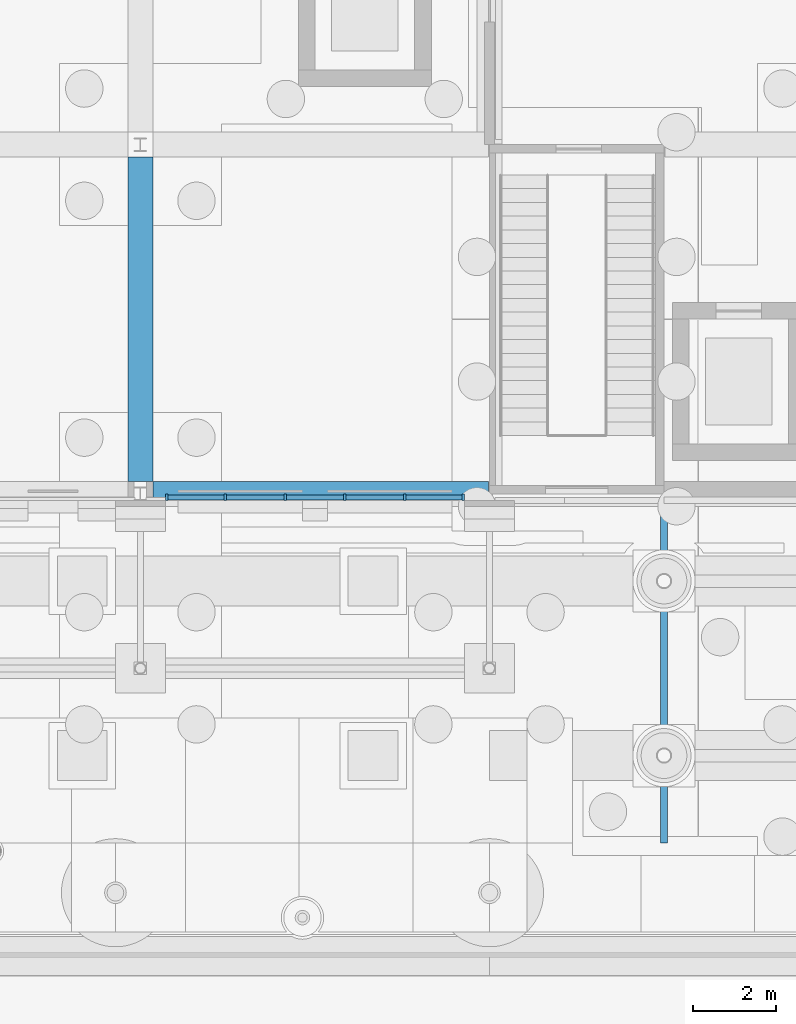
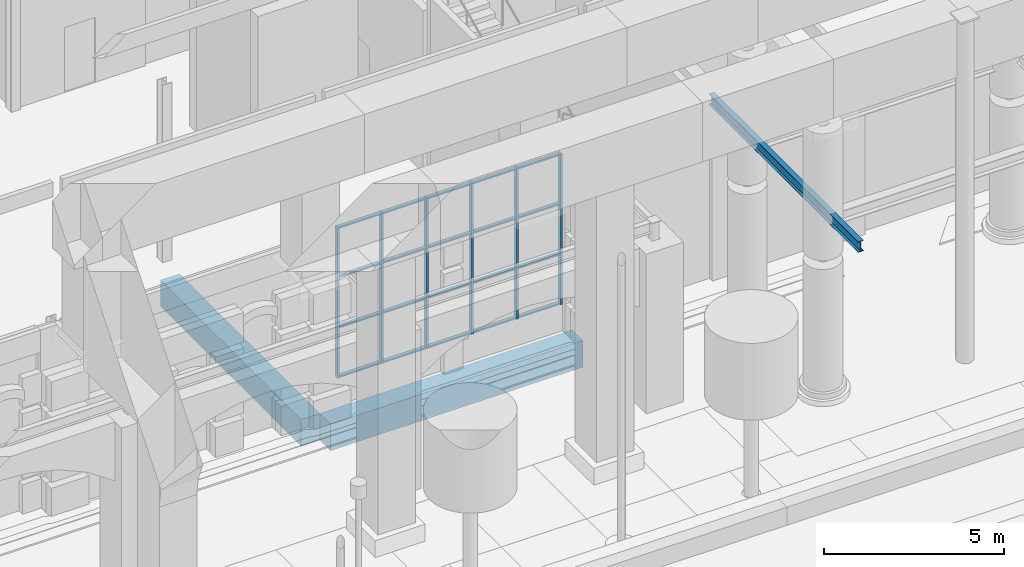
# One storey, part 40 of 222: 26 members, 3 beams, 1 element without a shape of its own.
"""IFC4 building model written with IfcOpenShell, lengths in metres."""

from ifc_helpers import new_model, si_unit, direction, frame, origin, origin_2d, place, context, subcontext, project, spatial, rectangle, i_section, extrude, material, material_profile, profile_set, type_object, element, aggregate, save


model = new_model("IFC4")

# Units and contexts
model_context = context("Model", 3, precision=1e-05, world=origin(), true_north=direction((0.0, 1.0)))
body_context = subcontext(model_context, "Body", "Model", "MODEL_VIEW")
ifc_project = project(units=[si_unit("LENGTHUNIT", "METRE"), si_unit("AREAUNIT", "SQUARE_METRE"), si_unit("VOLUMEUNIT", "CUBIC_METRE"), si_unit("PLANEANGLEUNIT", "RADIAN"), si_unit("MASSUNIT", "GRAM", prefix="KILO")], contexts=[model_context])

# Site, building, storey
site_placement = place(None, origin())
site = spatial("IfcSite", under=ifc_project, at=site_placement, CompositionType="ELEMENT")
building_placement = place(site_placement, origin())
building = spatial("IfcBuilding", under=site, at=building_placement, Name="Sava Quay Ferry Terminal", CompositionType="ELEMENT")
storey_placement = place(building_placement, origin())
storey = spatial("IfcBuildingStorey", under=building, at=storey_placement, Name="L00", CompositionType="ELEMENT", Elevation=0.0)

# Beam
ifc_material_1 = material(Name="Steel S355", Category="steel")
ifc_material_profile_1 = material_profile(ifc_material_1, i_section(OverallWidth=0.169921875, OverallDepth=0.360107421875, WebThickness=0.008056640625, FlangeThickness=0.0126953125, at=origin_2d()), Name="IPE 360")
ifc_profile_set_1 = profile_set([ifc_material_profile_1], Name="Steel S355")
beam_type_1 = type_object("IfcBeamType", Name="Beam IPE 360", PredefinedType="BEAM", material=ifc_profile_set_1)
beam_1_placement = place(storey_placement, frame((46.199951171875, 16.800048828125, 6.179931640625), z_axis=(0.0, 1.0, 0.0), x_axis=(-1.0, 0.0, 0.0)))
element("IfcBeam", 1, at=beam_1_placement, inside=storey, type_object=beam_type_1, Name="Canopy beam", PredefinedType="BEAM", context=body_context, shape_type="SweptSolid", body=[
    extrude(i_section(OverallWidth=0.169921875, OverallDepth=0.360107421875, WebThickness=0.008056640625, FlangeThickness=0.0126953125, at=origin_2d()), origin(), (0.0, 0.0, 1.0), 8.280029296875),
])

# Curtain wall, members
ifc_material_2 = material(Name="Aluminium and glass curtain wall, double low-e glazed", Category="aluminium")
curtain_wall_type = type_object("IfcCurtainWallType", Name="Curtain wall CW-F flank", PredefinedType="NOTDEFINED", material=ifc_material_2)
curtain_wall_placement = place(storey_placement, origin())
curtain_wall = element("IfcCurtainWall", 2, at=curtain_wall_placement, inside=storey, type_object=curtain_wall_type, Name="Curtain wall W-S L00 bay 5", PredefinedType="NOTDEFINED")
ifc_material_3 = material(Name="Aluminium EN AW-6063 T6", Category="aluminium")
ifc_material_profile_2 = material_profile(ifc_material_3, rectangle(XDim=0.14990234375, YDim=0.06005859375, at=origin_2d()), Name="Mullion 60x150 aluminium")
ifc_profile_set_2 = profile_set([ifc_material_profile_2], Name="Aluminium EN AW-6063 T6")
member_type_1 = type_object("IfcMemberType", Name="Mullion 60x150 aluminium", PredefinedType="MULLION", material=ifc_profile_set_2)
member_1_placement = place(storey_placement, frame((34.22998046875, 25.114990234375, 0.89990234375), z_axis=(0.0, 0.0, 1.0), x_axis=(0.0, 1.0, 0.0)))
member_1 = element("IfcMember", 3, at=member_1_placement, type_object=member_type_1, Name="CW132 mullion 1", PredefinedType="MULLION", context=body_context, shape_type="SweptSolid", body=[
    extrude(rectangle(XDim=0.14990234375, YDim=0.06005859375, at=origin_2d()), origin(), (0.0, 0.0, 1.0), 5.10009765625),
])
member_2_placement = place(storey_placement, frame((35.639892578125, 25.114990234375, 0.89990234375), z_axis=(0.0, 0.0, 1.0), x_axis=(0.0, 1.0, 0.0)))
member_2 = element("IfcMember", 4, at=member_2_placement, type_object=member_type_1, Name="CW132 mullion 2", PredefinedType="MULLION", context=body_context, shape_type="SweptSolid", body=[
    extrude(rectangle(XDim=0.14990234375, YDim=0.06005859375, at=origin_2d()), origin(), (0.0, 0.0, 1.0), 5.10009765625),
])
member_3_placement = place(storey_placement, frame((37.080078125, 25.114990234375, 0.89990234375), z_axis=(0.0, 0.0, 1.0), x_axis=(0.0, 1.0, 0.0)))
member_3 = element("IfcMember", 5, at=member_3_placement, type_object=member_type_1, Name="CW132 mullion 3", PredefinedType="MULLION", context=body_context, shape_type="SweptSolid", body=[
    extrude(rectangle(XDim=0.14990234375, YDim=0.06005859375, at=origin_2d()), origin(), (0.0, 0.0, 1.0), 5.10009765625),
])
member_4_placement = place(storey_placement, frame((38.52001953125, 25.114990234375, 0.89990234375), z_axis=(0.0, 0.0, 1.0), x_axis=(0.0, 1.0, 0.0)))
member_4 = element("IfcMember", 6, at=member_4_placement, type_object=member_type_1, Name="CW132 mullion 4", PredefinedType="MULLION", context=body_context, shape_type="SweptSolid", body=[
    extrude(rectangle(XDim=0.14990234375, YDim=0.06005859375, at=origin_2d()), origin(), (0.0, 0.0, 1.0), 5.10009765625),
])
member_5_placement = place(storey_placement, frame((39.9599609375, 25.114990234375, 0.89990234375), z_axis=(0.0, 0.0, 1.0), x_axis=(0.0, 1.0, 0.0)))
member_5 = element("IfcMember", 7, at=member_5_placement, type_object=member_type_1, Name="CW132 mullion 5", PredefinedType="MULLION", context=body_context, shape_type="SweptSolid", body=[
    extrude(rectangle(XDim=0.14990234375, YDim=0.06005859375, at=origin_2d()), origin(), (0.0, 0.0, 1.0), 5.10009765625),
])
member_6_placement = place(storey_placement, frame((41.3701171875, 25.114990234375, 0.89990234375), z_axis=(0.0, 0.0, 1.0), x_axis=(0.0, 1.0, 0.0)))
member_6 = element("IfcMember", 8, at=member_6_placement, type_object=member_type_1, Name="CW132 mullion 6", PredefinedType="MULLION", context=body_context, shape_type="SweptSolid", body=[
    extrude(rectangle(XDim=0.14990234375, YDim=0.06005859375, at=origin_2d()), origin(), (0.0, 0.0, 1.0), 5.10009765625),
])

# Beams
ifc_material_4 = material(Name="Concrete C40/50", Category="concrete")
ifc_material_profile_3 = material_profile(ifc_material_4, rectangle(XDim=0.60009765625, YDim=0.89990234375, at=origin_2d()), Name="RC 600x900")
ifc_profile_set_3 = profile_set([ifc_material_profile_3], Name="Concrete C40/50")
beam_type_2 = type_object("IfcBeamType", Name="RC deck beam 600x900", PredefinedType="BEAM", material=ifc_profile_set_3)
beam_2_placement = place(storey_placement, frame((33.89990234375, 25.199951171875, -0.89990234375), z_axis=(1.0, 0.0, 0.0), x_axis=(0.0, 1.0, 0.0)))
element("IfcBeam", 9, at=beam_2_placement, inside=storey, type_object=beam_type_2, Name="Deck beam X25.2-33.6", PredefinedType="BEAM", context=body_context, shape_type="SweptSolid", body=[
    extrude(rectangle(XDim=0.60009765625, YDim=0.89990234375, at=origin_2d()), origin(), (0.0, 0.0, 1.0), 8.080078125),
])
beam_3_placement = place(storey_placement, frame((33.60009765625, 25.5, -0.89990234375), z_axis=(0.0, 1.0, 0.0), x_axis=(-1.0, 0.0, 0.0)))
element("IfcBeam", 10, at=beam_3_placement, inside=storey, type_object=beam_type_2, Name="Deck beam Y33.6-25.2", PredefinedType="BEAM", context=body_context, shape_type="SweptSolid", body=[
    extrude(rectangle(XDim=0.60009765625, YDim=0.89990234375, at=origin_2d()), origin(), (0.0, 0.0, 1.0), 7.800048828125),
])

# Member
ifc_material_5 = material(Name="Aluminium EN AW-6063 T6", Category="aluminium")
ifc_material_profile_4 = material_profile(ifc_material_5, rectangle(XDim=0.1201171875, YDim=0.050048828125, at=origin_2d()), Name="Transom 50x120 aluminium")
ifc_profile_set_4 = profile_set([ifc_material_profile_4], Name="Aluminium EN AW-6063 T6")
member_type_2 = type_object("IfcMemberType", Name="Transom 50x120 aluminium", PredefinedType="USERDEFINED", material=ifc_profile_set_4)
member_7_placement = place(storey_placement, frame((34.260009765625, 25.114990234375, 0.925048828125), z_axis=(1.0, 0.0, 0.0), x_axis=(0.0, 1.0, 0.0)))
member_7 = element("IfcMember", 11, at=member_7_placement, type_object=member_type_2, Name="CW132 transom 1.1", ObjectType="TRANSOM", PredefinedType="USERDEFINED", context=body_context, shape_type="SweptSolid", body=[
    extrude(rectangle(XDim=0.1201171875, YDim=0.050048828125, at=origin_2d()), origin(), (0.0, 0.0, 1.0), 1.35009765625),
])

member_8_placement = place(storey_placement, frame((34.260009765625, 25.114990234375, 2.60009765625), z_axis=(1.0, 0.0, 0.0), x_axis=(0.0, 1.0, 0.0)))
member_8 = element("IfcMember", 12, at=member_8_placement, type_object=member_type_2, Name="CW132 transom 1.2", ObjectType="TRANSOM", PredefinedType="USERDEFINED", context=body_context, shape_type="SweptSolid", body=[
    extrude(rectangle(XDim=0.1201171875, YDim=0.050048828125, at=origin_2d()), origin(), (0.0, 0.0, 1.0), 1.35009765625),
])

member_9_placement = place(storey_placement, frame((34.260009765625, 25.114990234375, 4.300048828125), z_axis=(1.0, 0.0, 0.0), x_axis=(0.0, 1.0, 0.0)))
member_9 = element("IfcMember", 13, at=member_9_placement, type_object=member_type_2, Name="CW132 transom 1.3", ObjectType="TRANSOM", PredefinedType="USERDEFINED", context=body_context, shape_type="SweptSolid", body=[
    extrude(rectangle(XDim=0.1201171875, YDim=0.050048828125, at=origin_2d()), origin(), (0.0, 0.0, 1.0), 1.35009765625),
])

member_10_placement = place(storey_placement, frame((34.260009765625, 25.114990234375, 5.97509765625), z_axis=(1.0, 0.0, 0.0), x_axis=(0.0, 1.0, 0.0)))
member_10 = element("IfcMember", 14, at=member_10_placement, type_object=member_type_2, Name="CW132 transom 1.4", ObjectType="TRANSOM", PredefinedType="USERDEFINED", context=body_context, shape_type="SweptSolid", body=[
    extrude(rectangle(XDim=0.1201171875, YDim=0.050048828125, at=origin_2d()), origin(), (0.0, 0.0, 1.0), 1.35009765625),
])

member_11_placement = place(storey_placement, frame((35.669921875, 25.114990234375, 0.925048828125), z_axis=(1.0, 0.0, 0.0), x_axis=(0.0, 1.0, 0.0)))
member_11 = element("IfcMember", 15, at=member_11_placement, type_object=member_type_2, Name="CW132 transom 2.1", ObjectType="TRANSOM", PredefinedType="USERDEFINED", context=body_context, shape_type="SweptSolid", body=[
    extrude(rectangle(XDim=0.1201171875, YDim=0.050048828125, at=origin_2d()), origin(), (0.0, 0.0, 1.0), 1.380126953125),
])

member_12_placement = place(storey_placement, frame((35.669921875, 25.114990234375, 2.60009765625), z_axis=(1.0, 0.0, 0.0), x_axis=(0.0, 1.0, 0.0)))
member_12 = element("IfcMember", 16, at=member_12_placement, type_object=member_type_2, Name="CW132 transom 2.2", ObjectType="TRANSOM", PredefinedType="USERDEFINED", context=body_context, shape_type="SweptSolid", body=[
    extrude(rectangle(XDim=0.1201171875, YDim=0.050048828125, at=origin_2d()), origin(), (0.0, 0.0, 1.0), 1.380126953125),
])

member_13_placement = place(storey_placement, frame((35.669921875, 25.114990234375, 4.300048828125), z_axis=(1.0, 0.0, 0.0), x_axis=(0.0, 1.0, 0.0)))
member_13 = element("IfcMember", 17, at=member_13_placement, type_object=member_type_2, Name="CW132 transom 2.3", ObjectType="TRANSOM", PredefinedType="USERDEFINED", context=body_context, shape_type="SweptSolid", body=[
    extrude(rectangle(XDim=0.1201171875, YDim=0.050048828125, at=origin_2d()), origin(), (0.0, 0.0, 1.0), 1.380126953125),
])

member_14_placement = place(storey_placement, frame((35.669921875, 25.114990234375, 5.97509765625), z_axis=(1.0, 0.0, 0.0), x_axis=(0.0, 1.0, 0.0)))
member_14 = element("IfcMember", 18, at=member_14_placement, type_object=member_type_2, Name="CW132 transom 2.4", ObjectType="TRANSOM", PredefinedType="USERDEFINED", context=body_context, shape_type="SweptSolid", body=[
    extrude(rectangle(XDim=0.1201171875, YDim=0.050048828125, at=origin_2d()), origin(), (0.0, 0.0, 1.0), 1.380126953125),
])

member_15_placement = place(storey_placement, frame((37.110107421875, 25.114990234375, 0.925048828125), z_axis=(1.0, 0.0, 0.0), x_axis=(0.0, 1.0, 0.0)))
member_15 = element("IfcMember", 19, at=member_15_placement, type_object=member_type_2, Name="CW132 transom 3.1", ObjectType="TRANSOM", PredefinedType="USERDEFINED", context=body_context, shape_type="SweptSolid", body=[
    extrude(rectangle(XDim=0.1201171875, YDim=0.050048828125, at=origin_2d()), origin(), (0.0, 0.0, 1.0), 1.3798828125),
])

member_16_placement = place(storey_placement, frame((37.110107421875, 25.114990234375, 2.60009765625), z_axis=(1.0, 0.0, 0.0), x_axis=(0.0, 1.0, 0.0)))
member_16 = element("IfcMember", 20, at=member_16_placement, type_object=member_type_2, Name="CW132 transom 3.2", ObjectType="TRANSOM", PredefinedType="USERDEFINED", context=body_context, shape_type="SweptSolid", body=[
    extrude(rectangle(XDim=0.1201171875, YDim=0.050048828125, at=origin_2d()), origin(), (0.0, 0.0, 1.0), 1.3798828125),
])

member_17_placement = place(storey_placement, frame((37.110107421875, 25.114990234375, 4.300048828125), z_axis=(1.0, 0.0, 0.0), x_axis=(0.0, 1.0, 0.0)))
member_17 = element("IfcMember", 21, at=member_17_placement, type_object=member_type_2, Name="CW132 transom 3.3", ObjectType="TRANSOM", PredefinedType="USERDEFINED", context=body_context, shape_type="SweptSolid", body=[
    extrude(rectangle(XDim=0.1201171875, YDim=0.050048828125, at=origin_2d()), origin(), (0.0, 0.0, 1.0), 1.3798828125),
])

member_18_placement = place(storey_placement, frame((37.110107421875, 25.114990234375, 5.97509765625), z_axis=(1.0, 0.0, 0.0), x_axis=(0.0, 1.0, 0.0)))
member_18 = element("IfcMember", 22, at=member_18_placement, type_object=member_type_2, Name="CW132 transom 3.4", ObjectType="TRANSOM", PredefinedType="USERDEFINED", context=body_context, shape_type="SweptSolid", body=[
    extrude(rectangle(XDim=0.1201171875, YDim=0.050048828125, at=origin_2d()), origin(), (0.0, 0.0, 1.0), 1.3798828125),
])

member_19_placement = place(storey_placement, frame((38.550048828125, 25.114990234375, 0.925048828125), z_axis=(1.0, 0.0, 0.0), x_axis=(0.0, 1.0, 0.0)))
member_19 = element("IfcMember", 23, at=member_19_placement, type_object=member_type_2, Name="CW132 transom 4.1", ObjectType="TRANSOM", PredefinedType="USERDEFINED", context=body_context, shape_type="SweptSolid", body=[
    extrude(rectangle(XDim=0.1201171875, YDim=0.050048828125, at=origin_2d()), origin(), (0.0, 0.0, 1.0), 1.3798828125),
])

member_20_placement = place(storey_placement, frame((38.550048828125, 25.114990234375, 2.60009765625), z_axis=(1.0, 0.0, 0.0), x_axis=(0.0, 1.0, 0.0)))
member_20 = element("IfcMember", 24, at=member_20_placement, type_object=member_type_2, Name="CW132 transom 4.2", ObjectType="TRANSOM", PredefinedType="USERDEFINED", context=body_context, shape_type="SweptSolid", body=[
    extrude(rectangle(XDim=0.1201171875, YDim=0.050048828125, at=origin_2d()), origin(), (0.0, 0.0, 1.0), 1.3798828125),
])

member_21_placement = place(storey_placement, frame((38.550048828125, 25.114990234375, 4.300048828125), z_axis=(1.0, 0.0, 0.0), x_axis=(0.0, 1.0, 0.0)))
member_21 = element("IfcMember", 25, at=member_21_placement, type_object=member_type_2, Name="CW132 transom 4.3", ObjectType="TRANSOM", PredefinedType="USERDEFINED", context=body_context, shape_type="SweptSolid", body=[
    extrude(rectangle(XDim=0.1201171875, YDim=0.050048828125, at=origin_2d()), origin(), (0.0, 0.0, 1.0), 1.3798828125),
])

member_22_placement = place(storey_placement, frame((38.550048828125, 25.114990234375, 5.97509765625), z_axis=(1.0, 0.0, 0.0), x_axis=(0.0, 1.0, 0.0)))
member_22 = element("IfcMember", 26, at=member_22_placement, type_object=member_type_2, Name="CW132 transom 4.4", ObjectType="TRANSOM", PredefinedType="USERDEFINED", context=body_context, shape_type="SweptSolid", body=[
    extrude(rectangle(XDim=0.1201171875, YDim=0.050048828125, at=origin_2d()), origin(), (0.0, 0.0, 1.0), 1.3798828125),
])

member_23_placement = place(storey_placement, frame((39.989990234375, 25.114990234375, 0.925048828125), z_axis=(1.0, 0.0, 0.0), x_axis=(0.0, 1.0, 0.0)))
member_23 = element("IfcMember", 27, at=member_23_placement, type_object=member_type_2, Name="CW132 transom 5.1", ObjectType="TRANSOM", PredefinedType="USERDEFINED", context=body_context, shape_type="SweptSolid", body=[
    extrude(rectangle(XDim=0.1201171875, YDim=0.050048828125, at=origin_2d()), origin(), (0.0, 0.0, 1.0), 1.35009765625),
])

member_24_placement = place(storey_placement, frame((39.989990234375, 25.114990234375, 2.60009765625), z_axis=(1.0, 0.0, 0.0), x_axis=(0.0, 1.0, 0.0)))
member_24 = element("IfcMember", 28, at=member_24_placement, type_object=member_type_2, Name="CW132 transom 5.2", ObjectType="TRANSOM", PredefinedType="USERDEFINED", context=body_context, shape_type="SweptSolid", body=[
    extrude(rectangle(XDim=0.1201171875, YDim=0.050048828125, at=origin_2d()), origin(), (0.0, 0.0, 1.0), 1.35009765625),
])

member_25_placement = place(storey_placement, frame((39.989990234375, 25.114990234375, 4.300048828125), z_axis=(1.0, 0.0, 0.0), x_axis=(0.0, 1.0, 0.0)))
member_25 = element("IfcMember", 29, at=member_25_placement, type_object=member_type_2, Name="CW132 transom 5.3", ObjectType="TRANSOM", PredefinedType="USERDEFINED", context=body_context, shape_type="SweptSolid", body=[
    extrude(rectangle(XDim=0.1201171875, YDim=0.050048828125, at=origin_2d()), origin(), (0.0, 0.0, 1.0), 1.35009765625),
])

member_26_placement = place(storey_placement, frame((39.989990234375, 25.114990234375, 5.97509765625), z_axis=(1.0, 0.0, 0.0), x_axis=(0.0, 1.0, 0.0)))
member_26 = element("IfcMember", 30, at=member_26_placement, type_object=member_type_2, Name="CW132 transom 5.4", ObjectType="TRANSOM", PredefinedType="USERDEFINED", context=body_context, shape_type="SweptSolid", body=[
    extrude(rectangle(XDim=0.1201171875, YDim=0.050048828125, at=origin_2d()), origin(), (0.0, 0.0, 1.0), 1.35009765625),
])

aggregate(curtain_wall, [member_1, member_2, member_3, member_4, member_5, member_6, member_7, member_8, member_9, member_10, member_11, member_12, member_13, member_14, member_15, member_16, member_17, member_18, member_19, member_20, member_21, member_22, member_23, member_24, member_25, member_26])

save(model, "model.ifc")
